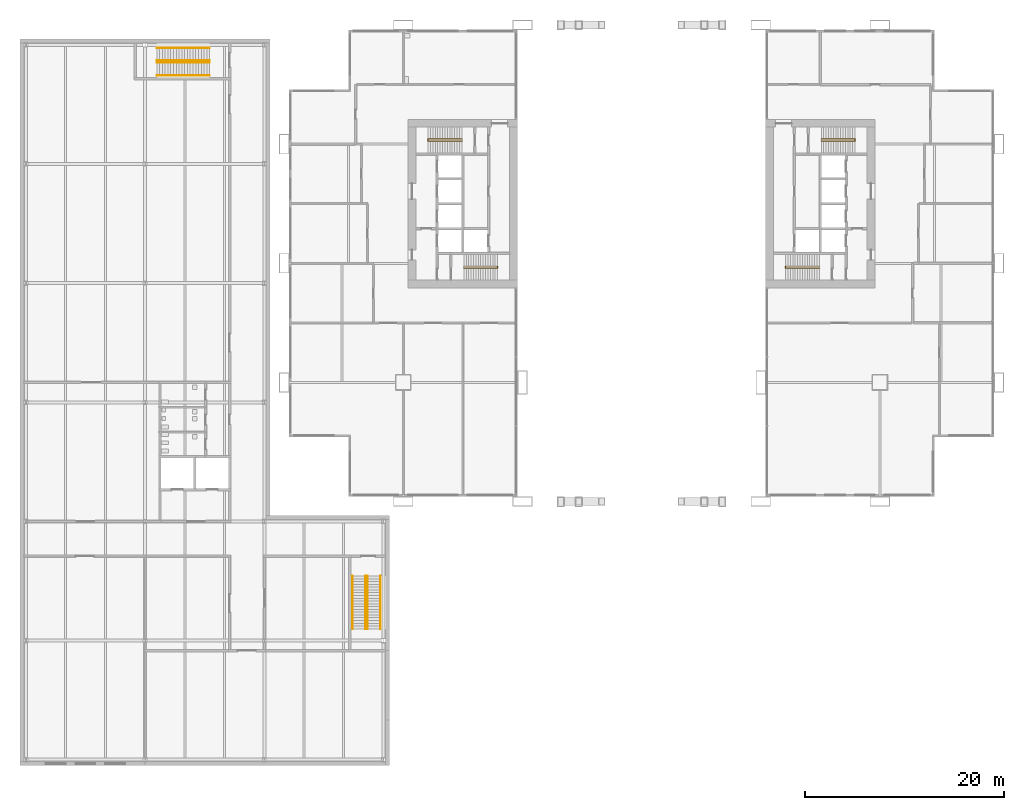
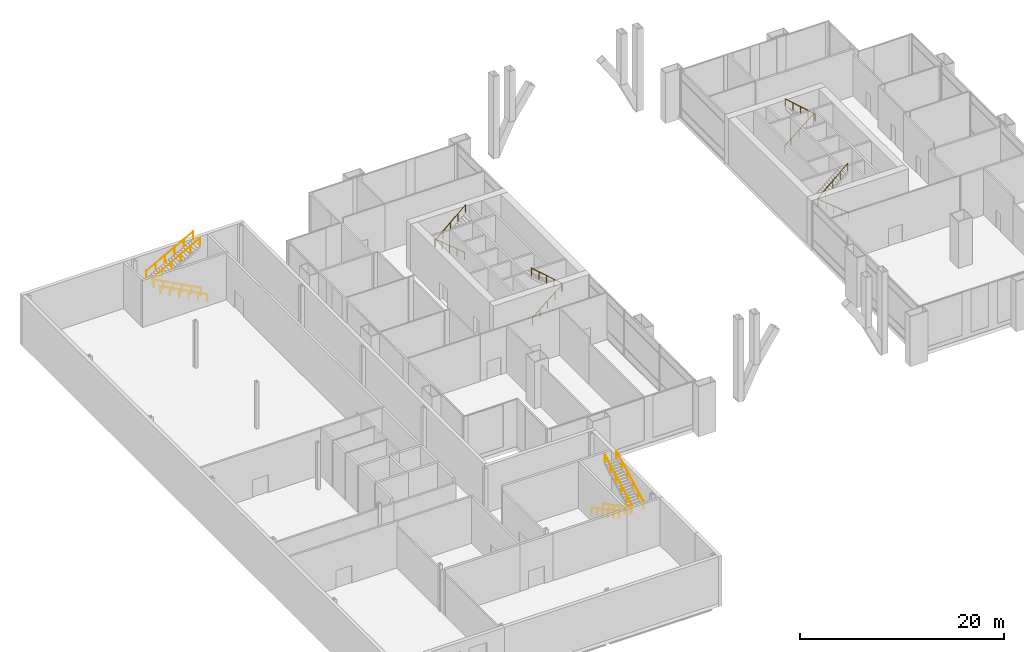
# One storey, part 24 of 25: 12 railings.
"""IFC4 building model written with IfcOpenShell, lengths in metres."""

from ifc_helpers import new_model, si_unit, direction, frame, origin, origin_2d, place, context, subcontext, project, spatial, circle, extrude, material, type_object, element, save


model = new_model("IFC4")

# Units and contexts
model_context = context("Model", 3, precision=1e-05, world=origin(), true_north=direction((0.0, 1.0)))
body_context = subcontext(model_context, "Body", "Model", "MODEL_VIEW")
ifc_project = project(units=[si_unit("LENGTHUNIT", "METRE"), si_unit("AREAUNIT", "SQUARE_METRE"), si_unit("VOLUMEUNIT", "CUBIC_METRE"), si_unit("PLANEANGLEUNIT", "RADIAN"), si_unit("MASSUNIT", "GRAM", prefix="KILO")], contexts=[model_context])

# Site, building, storey
site_placement = place(None, origin())
site = spatial("IfcSite", under=ifc_project, at=site_placement, CompositionType="ELEMENT")
building_placement = place(site_placement, origin())
building = spatial("IfcBuilding", under=site, at=building_placement, Name="Kitamizu Gate Tower and Museum", CompositionType="ELEMENT")
storey_placement = place(building_placement, frame((0.0, 0.0, 12.0)))
storey = spatial("IfcBuildingStorey", under=building, at=storey_placement, Name="L02", CompositionType="ELEMENT", Elevation=12.0)

# Railings
ifc_material_1 = material(Name="Stainless steel SUS304", Category="steel")
railing_type_1 = type_object("IfcRailingType", Name="Museum stair handrail 900", PredefinedType="HANDRAIL", material=ifc_material_1)
for number, where, name in (
    (1, (6.89990234375, -7.5, 0.14990234375), "Handrail stair S"),
    (2, (8.199951171875, -7.5, 0.14990234375), "Handrail stair S"),
):
    element("IfcRailing", number, at=place(storey_placement, frame(where)), inside=storey, type_object=railing_type_1, Name=name, PredefinedType="HANDRAIL", context=body_context, shape_type="SweptSolid", body=[
        extrude(circle(Radius=0.0224609375, at=origin_2d()), frame((0.0, 0.0, 0.87744140625), z_axis=(0.0, -0.881475760486, 0.472229270245), x_axis=(1.0, 0.0, 0.0)), (0.0, 0.0, 1.0), 6.035400390625),
        extrude(circle(Radius=0.01513671875, at=origin_2d()), origin(), (0.0, 0.0, 1.0), 0.85498046875),
        extrude(circle(Radius=0.01513671875, at=origin_2d()), frame((0.0, -1.06396484375, 0.570068359375)), (0.0, 0.0, 1.0), 0.85498046875),
        extrude(circle(Radius=0.01513671875, at=origin_2d()), frame((0.0, -2.1279296875, 1.14013671875)), (0.0, 0.0, 1.0), 0.85498046875),
        extrude(circle(Radius=0.01513671875, at=origin_2d()), frame((0.0, -3.192138671875, 1.7099609375)), (0.0, 0.0, 1.0), 0.85498046875),
        extrude(circle(Radius=0.01513671875, at=origin_2d()), frame((0.0, -4.256103515625, 2.280029296875)), (0.0, 0.0, 1.0), 0.85498046875),
        extrude(circle(Radius=0.01513671875, at=origin_2d()), frame((0.0, -5.320068359375, 2.85009765625)), (0.0, 0.0, 1.0), 0.85498046875),
    ])
for number, where, name in (
    (3, (8.39990234375, -12.820068359375, 3.14990234375), "Handrail stair S"),
    (4, (9.699951171875, -12.820068359375, 3.14990234375), "Handrail stair S"),
):
    element("IfcRailing", number, at=place(storey_placement, frame(where)), inside=storey, type_object=railing_type_1, Name=name, PredefinedType="HANDRAIL", context=body_context, shape_type="SweptSolid", body=[
        extrude(circle(Radius=0.0224609375, at=origin_2d()), frame((0.0, 0.0, 0.87744140625), z_axis=(0.0, 0.881475760486, 0.472229270245), x_axis=(-1.0, 0.0, 0.0)), (0.0, 0.0, 1.0), 6.035400390625),
        extrude(circle(Radius=0.01513671875, at=origin_2d()), origin(), (0.0, 0.0, 1.0), 0.85498046875),
        extrude(circle(Radius=0.01513671875, at=origin_2d()), frame((0.0, 1.06396484375, 0.570068359375)), (0.0, 0.0, 1.0), 0.85498046875),
        extrude(circle(Radius=0.01513671875, at=origin_2d()), frame((0.0, 2.1279296875, 1.14013671875)), (0.0, 0.0, 1.0), 0.85498046875),
        extrude(circle(Radius=0.01513671875, at=origin_2d()), frame((0.0, 3.192138671875, 1.7099609375)), (0.0, 0.0, 1.0), 0.85498046875),
        extrude(circle(Radius=0.01513671875, at=origin_2d()), frame((0.0, 4.256103515625, 2.280029296875)), (0.0, 0.0, 1.0), 0.85498046875),
        extrude(circle(Radius=0.01513671875, at=origin_2d()), frame((0.0, 5.320068359375, 2.85009765625)), (0.0, 0.0, 1.0), 0.85498046875),
    ])
for number, where, name in (
    (5, (-7.5, 42.89990234375, 0.14990234375), "Handrail stair N"),
    (6, (-7.5, 44.199951171875, 0.14990234375), "Handrail stair N"),
):
    element("IfcRailing", number, at=place(storey_placement, frame(where)), inside=storey, type_object=railing_type_1, Name=name, PredefinedType="HANDRAIL", context=body_context, shape_type="SweptSolid", body=[
        extrude(circle(Radius=0.0224609375, at=origin_2d()), frame((0.0, 0.0, 0.87744140625), z_axis=(-0.881475760486, 0.0, 0.472229270245), x_axis=(0.0, -1.0, 0.0)), (0.0, 0.0, 1.0), 6.035400390625),
        extrude(circle(Radius=0.01513671875, at=origin_2d()), origin(), (0.0, 0.0, 1.0), 0.85498046875),
        extrude(circle(Radius=0.01513671875, at=origin_2d()), frame((-1.06396484375, 0.0, 0.570068359375)), (0.0, 0.0, 1.0), 0.85498046875),
        extrude(circle(Radius=0.01513671875, at=origin_2d()), frame((-2.1279296875, 0.0, 1.14013671875)), (0.0, 0.0, 1.0), 0.85498046875),
        extrude(circle(Radius=0.01513671875, at=origin_2d()), frame((-3.192138671875, 0.0, 1.7099609375)), (0.0, 0.0, 1.0), 0.85498046875),
        extrude(circle(Radius=0.01513671875, at=origin_2d()), frame((-4.256103515625, 0.0, 2.280029296875)), (0.0, 0.0, 1.0), 0.85498046875),
        extrude(circle(Radius=0.01513671875, at=origin_2d()), frame((-5.320068359375, 0.0, 2.85009765625)), (0.0, 0.0, 1.0), 0.85498046875),
    ])
for number, where, name in (
    (7, (-12.820068359375, 44.39990234375, 3.14990234375), "Handrail stair N"),
    (8, (-12.820068359375, 45.699951171875, 3.14990234375), "Handrail stair N"),
):
    element("IfcRailing", number, at=place(storey_placement, frame(where)), inside=storey, type_object=railing_type_1, Name=name, PredefinedType="HANDRAIL", context=body_context, shape_type="SweptSolid", body=[
        extrude(circle(Radius=0.0224609375, at=origin_2d()), frame((0.0, 0.0, 0.87744140625), z_axis=(0.881475760486, 0.0, 0.472229270245), x_axis=(0.0, 1.0, 0.0)), (0.0, 0.0, 1.0), 6.035400390625),
        extrude(circle(Radius=0.01513671875, at=origin_2d()), origin(), (0.0, 0.0, 1.0), 0.85498046875),
        extrude(circle(Radius=0.01513671875, at=origin_2d()), frame((1.06396484375, 0.0, 0.570068359375)), (0.0, 0.0, 1.0), 0.85498046875),
        extrude(circle(Radius=0.01513671875, at=origin_2d()), frame((2.1279296875, 0.0, 1.14013671875)), (0.0, 0.0, 1.0), 0.85498046875),
        extrude(circle(Radius=0.01513671875, at=origin_2d()), frame((3.192138671875, 0.0, 1.7099609375)), (0.0, 0.0, 1.0), 0.85498046875),
        extrude(circle(Radius=0.01513671875, at=origin_2d()), frame((4.256103515625, 0.0, 2.280029296875)), (0.0, 0.0, 1.0), 0.85498046875),
        extrude(circle(Radius=0.01513671875, at=origin_2d()), frame((5.320068359375, 0.0, 2.85009765625)), (0.0, 0.0, 1.0), 0.85498046875),
    ])
ifc_material_2 = material(Name="Stainless steel SUS304", Category="steel")
railing_type_2 = type_object("IfcRailingType", Name="Stair handrail 900", PredefinedType="HANDRAIL", material=ifc_material_2)
railing_1_placement = place(storey_placement, frame((18.10009765625, 23.5, 0.199951171875)))
element("IfcRailing", 9, at=railing_1_placement, inside=storey, type_object=railing_type_2, Name="Stair handrail ST1", PredefinedType="HANDRAIL", context=body_context, shape_type="SweptSolid", body=[
    extrude(circle(Radius=0.02392578125, at=origin_2d()), frame((0.0, 0.0, 0.8759765625), z_axis=(0.771915835092, 0.0, 0.63572473881), x_axis=(0.0, 1.0, 0.0)), (0.0, 0.0, 1.0), 4.404541015625),
    extrude(circle(Radius=0.02392578125, at=origin_2d()), frame((3.39990234375, 0.0, 3.67578125), z_axis=(0.0, 1.0, 0.0), x_axis=(-1.0, 0.0, 0.0)), (0.0, 0.0, 1.0), 0.199951171875),
    extrude(circle(Radius=0.02392578125, at=origin_2d()), frame((3.39990234375, 0.199951171875, 3.67578125), z_axis=(-0.74982842739, 0.0, 0.661632321971), x_axis=(0.0, -1.0, 0.0)), (0.0, 0.0, 1.0), 4.5341796875),
    extrude(circle(Radius=0.02099609375, at=origin_2d()), origin(), (0.0, 0.0, 1.0), 0.851806640625),
    extrude(circle(Radius=0.02099609375, at=origin_2d()), frame((0.85009765625, 0.0, 0.699951171875)), (0.0, 0.0, 1.0), 0.851806640625),
    extrude(circle(Radius=0.02099609375, at=origin_2d()), frame((1.699951171875, 0.0, 1.39990234375)), (0.0, 0.0, 1.0), 0.851806640625),
    extrude(circle(Radius=0.02099609375, at=origin_2d()), frame((2.5498046875, 0.0, 2.10009765625)), (0.0, 0.0, 1.0), 0.851806640625),
    extrude(circle(Radius=0.02099609375, at=origin_2d()), frame((3.39990234375, 0.0, 2.800048828125)), (0.0, 0.0, 1.0), 0.851806640625),
    extrude(circle(Radius=0.02099609375, at=origin_2d()), frame((3.39990234375, 0.199951171875, 2.800048828125)), (0.0, 0.0, 1.0), 0.851806640625),
    extrude(circle(Radius=0.02099609375, at=origin_2d()), frame((2.5498046875, 0.199951171875, 3.550048828125)), (0.0, 0.0, 1.0), 0.851806640625),
    extrude(circle(Radius=0.02099609375, at=origin_2d()), frame((1.699951171875, 0.199951171875, 4.300048828125)), (0.0, 0.0, 1.0), 0.851806640625),
    extrude(circle(Radius=0.02099609375, at=origin_2d()), frame((0.85009765625, 0.199951171875, 5.050048828125)), (0.0, 0.0, 1.0), 0.851806640625),
    extrude(circle(Radius=0.02099609375, at=origin_2d()), frame((0.0, 0.199951171875, 5.800048828125)), (0.0, 0.0, 1.0), 0.851806640625),
])
railing_2_placement = place(storey_placement, frame((17.89990234375, 36.5, 0.199951171875)))
element("IfcRailing", 10, at=railing_2_placement, inside=storey, type_object=railing_type_2, Name="Stair handrail ST2", PredefinedType="HANDRAIL", context=body_context, shape_type="SweptSolid", body=[
    extrude(circle(Radius=0.02392578125, at=origin_2d()), frame((0.0, 0.0, 0.8759765625), z_axis=(-0.771915835092, 0.0, 0.63572473881), x_axis=(0.0, -1.0, 0.0)), (0.0, 0.0, 1.0), 4.404541015625),
    extrude(circle(Radius=0.02392578125, at=origin_2d()), frame((-3.39990234375, 0.0, 3.67578125), z_axis=(0.0, -1.0, 0.0), x_axis=(1.0, 0.0, 0.0)), (0.0, 0.0, 1.0), 0.199951171875),
    extrude(circle(Radius=0.02392578125, at=origin_2d()), frame((-3.39990234375, -0.199951171875, 3.67578125), z_axis=(0.74982842739, 0.0, 0.661632321971), x_axis=(0.0, 1.0, 0.0)), (0.0, 0.0, 1.0), 4.5341796875),
    extrude(circle(Radius=0.02099609375, at=origin_2d()), origin(), (0.0, 0.0, 1.0), 0.851806640625),
    extrude(circle(Radius=0.02099609375, at=origin_2d()), frame((-0.85009765625, 0.0, 0.699951171875)), (0.0, 0.0, 1.0), 0.851806640625),
    extrude(circle(Radius=0.02099609375, at=origin_2d()), frame((-1.699951171875, 0.0, 1.39990234375)), (0.0, 0.0, 1.0), 0.851806640625),
    extrude(circle(Radius=0.02099609375, at=origin_2d()), frame((-2.5498046875, 0.0, 2.10009765625)), (0.0, 0.0, 1.0), 0.851806640625),
    extrude(circle(Radius=0.02099609375, at=origin_2d()), frame((-3.39990234375, 0.0, 2.800048828125)), (0.0, 0.0, 1.0), 0.851806640625),
    extrude(circle(Radius=0.02099609375, at=origin_2d()), frame((-3.39990234375, -0.199951171875, 2.800048828125)), (0.0, 0.0, 1.0), 0.851806640625),
    extrude(circle(Radius=0.02099609375, at=origin_2d()), frame((-2.5498046875, -0.199951171875, 3.550048828125)), (0.0, 0.0, 1.0), 0.851806640625),
    extrude(circle(Radius=0.02099609375, at=origin_2d()), frame((-1.699951171875, -0.199951171875, 4.300048828125)), (0.0, 0.0, 1.0), 0.851806640625),
    extrude(circle(Radius=0.02099609375, at=origin_2d()), frame((-0.85009765625, -0.199951171875, 5.050048828125)), (0.0, 0.0, 1.0), 0.851806640625),
    extrude(circle(Radius=0.02099609375, at=origin_2d()), frame((0.0, -0.199951171875, 5.800048828125)), (0.0, 0.0, 1.0), 0.851806640625),
])
railing_3_placement = place(storey_placement, frame((53.89990234375, 23.5, 0.199951171875)))
element("IfcRailing", 11, at=railing_3_placement, inside=storey, type_object=railing_type_2, Name="Stair handrail ST3", PredefinedType="HANDRAIL", context=body_context, shape_type="SweptSolid", body=[
    extrude(circle(Radius=0.02392578125, at=origin_2d()), frame((0.0, 0.0, 0.8759765625), z_axis=(-0.771915835092, 0.0, 0.63572473881), x_axis=(0.0, -1.0, 0.0)), (0.0, 0.0, 1.0), 4.404541015625),
    extrude(circle(Radius=0.02392578125, at=origin_2d()), frame((-3.39990234375, 0.0, 3.67578125), z_axis=(0.0, 1.0, 0.0), x_axis=(-1.0, 0.0, 0.0)), (0.0, 0.0, 1.0), 0.199951171875),
    extrude(circle(Radius=0.02392578125, at=origin_2d()), frame((-3.39990234375, 0.199951171875, 3.67578125), z_axis=(0.74982842739, 0.0, 0.661632321971), x_axis=(0.0, 1.0, 0.0)), (0.0, 0.0, 1.0), 4.5341796875),
    extrude(circle(Radius=0.02099609375, at=origin_2d()), origin(), (0.0, 0.0, 1.0), 0.851806640625),
    extrude(circle(Radius=0.02099609375, at=origin_2d()), frame((-0.85009765625, 0.0, 0.699951171875)), (0.0, 0.0, 1.0), 0.851806640625),
    extrude(circle(Radius=0.02099609375, at=origin_2d()), frame((-1.699951171875, 0.0, 1.39990234375)), (0.0, 0.0, 1.0), 0.851806640625),
    extrude(circle(Radius=0.02099609375, at=origin_2d()), frame((-2.5498046875, 0.0, 2.10009765625)), (0.0, 0.0, 1.0), 0.851806640625),
    extrude(circle(Radius=0.02099609375, at=origin_2d()), frame((-3.39990234375, 0.0, 2.800048828125)), (0.0, 0.0, 1.0), 0.851806640625),
    extrude(circle(Radius=0.02099609375, at=origin_2d()), frame((-3.39990234375, 0.199951171875, 2.800048828125)), (0.0, 0.0, 1.0), 0.851806640625),
    extrude(circle(Radius=0.02099609375, at=origin_2d()), frame((-2.5498046875, 0.199951171875, 3.550048828125)), (0.0, 0.0, 1.0), 0.851806640625),
    extrude(circle(Radius=0.02099609375, at=origin_2d()), frame((-1.699951171875, 0.199951171875, 4.300048828125)), (0.0, 0.0, 1.0), 0.851806640625),
    extrude(circle(Radius=0.02099609375, at=origin_2d()), frame((-0.85009765625, 0.199951171875, 5.050048828125)), (0.0, 0.0, 1.0), 0.851806640625),
    extrude(circle(Radius=0.02099609375, at=origin_2d()), frame((0.0, 0.199951171875, 5.800048828125)), (0.0, 0.0, 1.0), 0.851806640625),
])
railing_4_placement = place(storey_placement, frame((54.10009765625, 36.5, 0.199951171875)))
element("IfcRailing", 12, at=railing_4_placement, inside=storey, type_object=railing_type_2, Name="Stair handrail ST4", PredefinedType="HANDRAIL", context=body_context, shape_type="SweptSolid", body=[
    extrude(circle(Radius=0.02392578125, at=origin_2d()), frame((0.0, 0.0, 0.8759765625), z_axis=(0.771915835092, 0.0, 0.63572473881), x_axis=(0.0, 1.0, 0.0)), (0.0, 0.0, 1.0), 4.404541015625),
    extrude(circle(Radius=0.02392578125, at=origin_2d()), frame((3.39990234375, 0.0, 3.67578125), z_axis=(0.0, -1.0, 0.0), x_axis=(1.0, 0.0, 0.0)), (0.0, 0.0, 1.0), 0.199951171875),
    extrude(circle(Radius=0.02392578125, at=origin_2d()), frame((3.39990234375, -0.199951171875, 3.67578125), z_axis=(-0.74982842739, 0.0, 0.661632321971), x_axis=(0.0, -1.0, 0.0)), (0.0, 0.0, 1.0), 4.5341796875),
    extrude(circle(Radius=0.02099609375, at=origin_2d()), origin(), (0.0, 0.0, 1.0), 0.851806640625),
    extrude(circle(Radius=0.02099609375, at=origin_2d()), frame((0.85009765625, 0.0, 0.699951171875)), (0.0, 0.0, 1.0), 0.851806640625),
    extrude(circle(Radius=0.02099609375, at=origin_2d()), frame((1.699951171875, 0.0, 1.39990234375)), (0.0, 0.0, 1.0), 0.851806640625),
    extrude(circle(Radius=0.02099609375, at=origin_2d()), frame((2.5498046875, 0.0, 2.10009765625)), (0.0, 0.0, 1.0), 0.851806640625),
    extrude(circle(Radius=0.02099609375, at=origin_2d()), frame((3.39990234375, 0.0, 2.800048828125)), (0.0, 0.0, 1.0), 0.851806640625),
    extrude(circle(Radius=0.02099609375, at=origin_2d()), frame((3.39990234375, -0.199951171875, 2.800048828125)), (0.0, 0.0, 1.0), 0.851806640625),
    extrude(circle(Radius=0.02099609375, at=origin_2d()), frame((2.5498046875, -0.199951171875, 3.550048828125)), (0.0, 0.0, 1.0), 0.851806640625),
    extrude(circle(Radius=0.02099609375, at=origin_2d()), frame((1.699951171875, -0.199951171875, 4.300048828125)), (0.0, 0.0, 1.0), 0.851806640625),
    extrude(circle(Radius=0.02099609375, at=origin_2d()), frame((0.85009765625, -0.199951171875, 5.050048828125)), (0.0, 0.0, 1.0), 0.851806640625),
    extrude(circle(Radius=0.02099609375, at=origin_2d()), frame((0.0, -0.199951171875, 5.800048828125)), (0.0, 0.0, 1.0), 0.851806640625),
])

save(model, "model.ifc")
